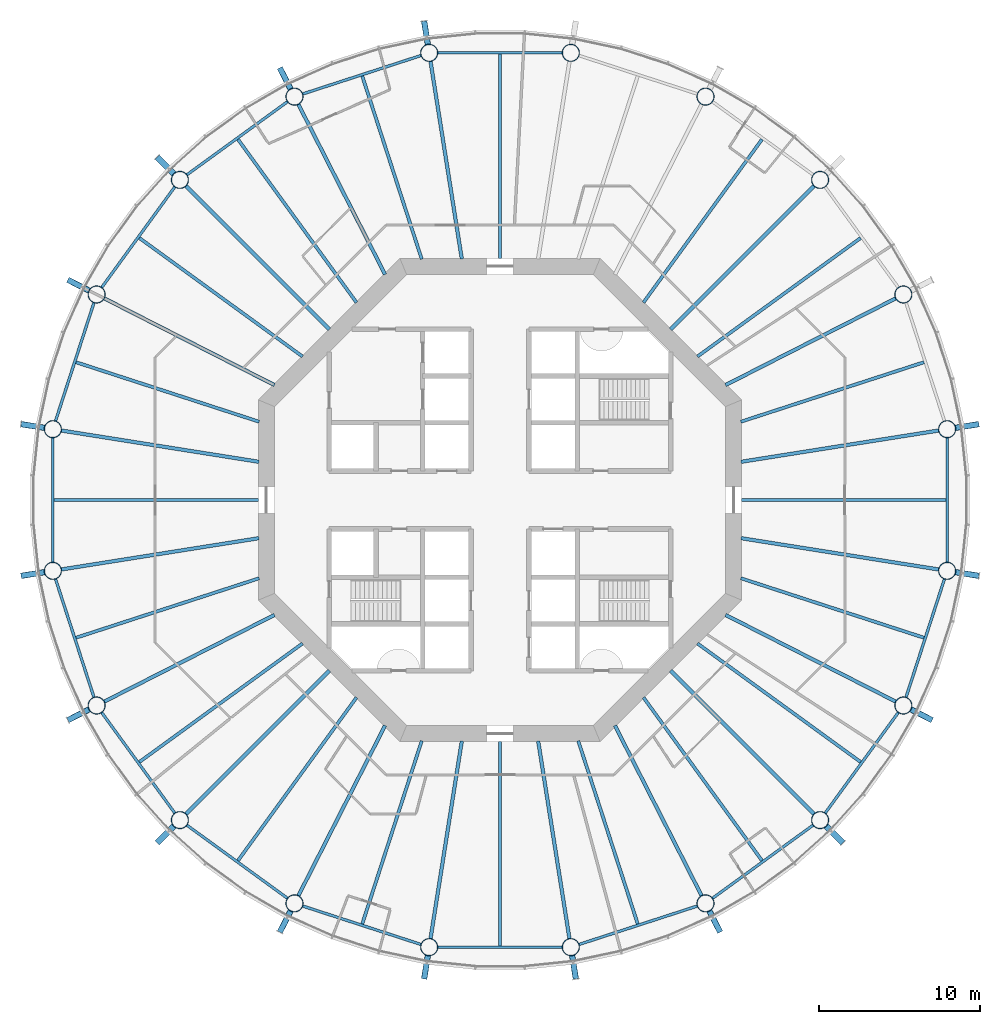
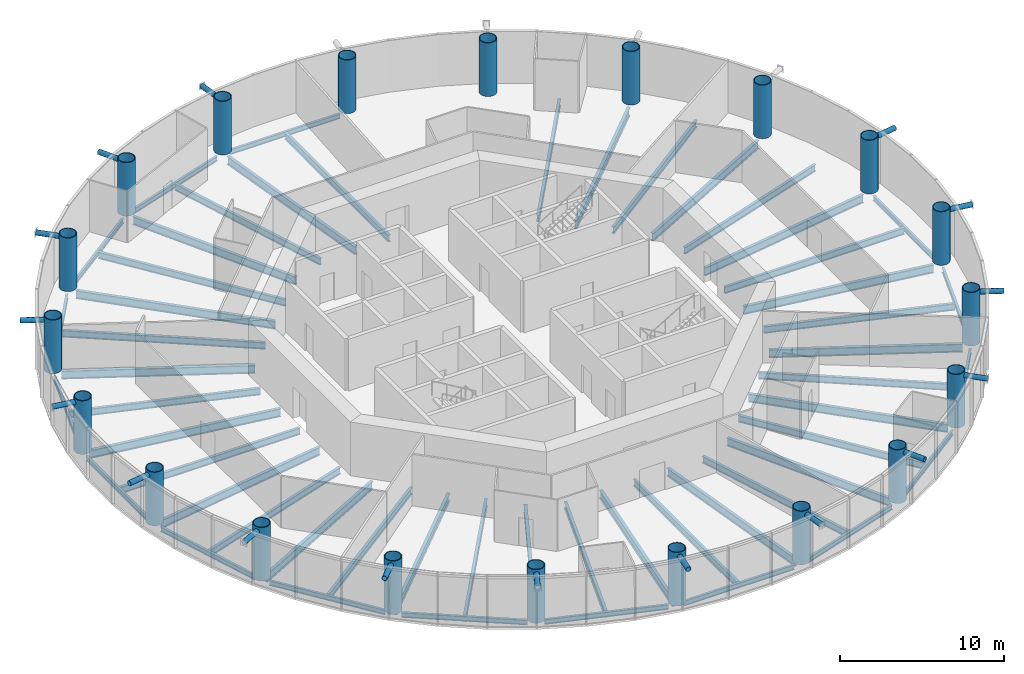
# One storey, part 1 of 17: 53 beams, 20 columns, 16 members.
"""IFC4 building model written with IfcOpenShell, lengths in metres."""

from ifc_helpers import new_model, si_unit, direction, frame, origin, origin_2d, place, context, subcontext, project, spatial, circle, hollow_circle, i_section, extrude, material, material_profile, profile_set, type_object, element, save


model = new_model("IFC4")

# Units and contexts
model_context = context("Model", 3, precision=1e-05, world=origin(), true_north=direction((0.0, 1.0)))
body_context = subcontext(model_context, "Body", "Model", "MODEL_VIEW")
ifc_project = project(units=[si_unit("LENGTHUNIT", "METRE"), si_unit("AREAUNIT", "SQUARE_METRE"), si_unit("VOLUMEUNIT", "CUBIC_METRE"), si_unit("PLANEANGLEUNIT", "RADIAN"), si_unit("MASSUNIT", "GRAM", prefix="KILO")], contexts=[model_context])

# Site, building, storey
site_placement = place(None, origin())
site = spatial("IfcSite", under=ifc_project, at=site_placement, CompositionType="ELEMENT")
building_placement = place(site_placement, origin())
building = spatial("IfcBuilding", under=site, at=building_placement, Name="Entoto Ring Tower", CompositionType="ELEMENT")
storey_placement = place(building_placement, frame((0.0, 0.0, 176.0)))
storey = spatial("IfcBuildingStorey", under=building, at=storey_placement, Name="L40", CompositionType="ELEMENT", Elevation=176.0)

# Columns
ifc_material_1 = material(Name="Steel S355", Category="steel")
ifc_material_profile_1 = material_profile(ifc_material_1, hollow_circle(Radius=0.550048828125, WallThickness=0.050048828125, at=origin_2d()), Name="CHS 1100 x 50")
ifc_material_2 = material(Name="Concrete C60/75", Category="concrete")
ifc_material_profile_2 = material_profile(ifc_material_2, circle(Radius=0.5, at=origin_2d()), Name="Concrete C60/75 infill")
ifc_profile_set_1 = profile_set([ifc_material_profile_1, ifc_material_profile_2], Name="Steel S355")
column_type = type_object("IfcColumnType", Name="Ring column 1100 x 50 concrete-filled tube", PredefinedType="COLUMN", material=ifc_profile_set_1)
for number, where, z_axis, x_axis, name in (
    (1, (117.754150390625, 84.395751953125, 0.0), (0.0, 0.0, 1.0), (1.0, 0.0, 0.0), "RC3 R01"),
    (2, (115.037353515625, 92.757080078125, 0.0), (0.0, 0.0, 1.0), (1.0, 0.0, 0.0), "RC3 R02"),
    (3, (109.86962890625, 99.86962890625, 0.0), (0.0, 0.0, 1.0), (1.0, 0.0, 0.0), "RC3 R03"),
    (4, (102.757080078125, 105.037353515625, 0.0), (0.0, 0.0, 1.0), (1.0, 0.0, 0.0), "RC3 R04"),
    (5, (94.395751953125, 107.754150390625, 0.0), (0.0, 0.0, 1.0), (1.0, 0.0, 0.0), "RC3 R05"),
    (6, (85.604248046875, 107.754150390625, 0.0), (0.0, 0.0, 1.0), (1.0, 0.0, 0.0), "RC3 R06"),
    (7, (77.242919921875, 105.037353515625, 0.0), (0.0, 0.0, 1.0), (1.0, 0.0, 0.0), "RC3 R07"),
    (8, (70.13037109375, 99.86962890625, 0.0), (0.0, 0.0, 1.0), (1.0, 0.0, 0.0), "RC3 R08"),
    (9, (64.962646484375, 92.757080078125, 0.0), (0.0, 0.0, 1.0), (1.0, 0.0, 0.0), "RC3 R09"),
    (10, (62.245849609375, 84.395751953125, 0.0), (0.0, 0.0, 1.0), (1.0, 0.0, 0.0), "RC3 R10"),
    (11, (62.245849609375, 75.604248046875, 0.0), (0.0, 0.0, 1.0), (1.0, 0.0, 0.0), "RC3 R11"),
    (12, (64.962646484375, 67.242919921875, 0.0), (0.0, 0.0, 1.0), (1.0, 0.0, 0.0), "RC3 R12"),
    (13, (70.13037109375, 60.13037109375, 0.0), (0.0, 0.0, 1.0), (1.0, 0.0, 0.0), "RC3 R13"),
    (14, (77.242919921875, 54.962646484375, 0.0), (0.0, 0.0, 1.0), (1.0, 0.0, 0.0), "RC3 R14"),
    (15, (85.604248046875, 52.245849609375, 0.0), (0.0, 0.0, 1.0), (1.0, 0.0, 0.0), "RC3 R15"),
    (16, (94.395751953125, 52.245849609375, 0.0), (0.0, 0.0, 1.0), (1.0, 0.0, 0.0), "RC3 R16"),
    (17, (102.757080078125, 54.962646484375, 0.0), (0.0, 0.0, 1.0), (1.0, 0.0, 0.0), "RC3 R17"),
    (18, (109.86962890625, 60.13037109375, 0.0), (0.0, 0.0, 1.0), (1.0, 0.0, 0.0), "RC3 R18"),
    (19, (115.037353515625, 67.242919921875, 0.0), (0.0, 0.0, 1.0), (1.0, 0.0, 0.0), "RC3 R19"),
    (20, (117.754150390625, 75.604248046875, 0.0), (0.0, 0.0, 1.0), (1.0, 0.0, 0.0), "RC3 R20"),
):
    element("IfcColumn", number, at=place(storey_placement, frame(where, z_axis=z_axis, x_axis=x_axis)), inside=storey, type_object=column_type, Name=name, PredefinedType="COLUMN", context=body_context, shape_type="SweptSolid", body=[
        extrude(hollow_circle(Radius=0.550048828125, WallThickness=0.050048828125, at=origin_2d()), origin(), (0.0, 0.0, 1.0), 4.0),
    ])

# Members
ifc_material_3 = material(Name="Steel S355", Category="steel")
ifc_material_profile_3 = material_profile(ifc_material_3, hollow_circle(Radius=0.177734375, WallThickness=0.01611328125, at=origin_2d()), Name="CHS 355.6 x 16")
ifc_material_4 = material(Name="Concrete C60/75", Category="concrete")
ifc_material_profile_4 = material_profile(ifc_material_4, circle(Radius=0.161865234375, at=origin_2d()), Name="Concrete C60/75 infill")
ifc_profile_set_2 = profile_set([ifc_material_profile_3, ifc_material_profile_4], Name="Steel S355")
member_type = type_object("IfcMemberType", Name="Diagrid node strut 355.6 x 16", PredefinedType="STRUT", material=ifc_profile_set_2)
for number, where, z_axis, x_axis, name in (
    (21, (118.248291015625, 84.47412109375, 3.672119140625), (0.987686287976, 0.15644742422, 0.0), (-0.15644742422, 0.987686287976, 0.0), "DS1 strut ring 12 01"),
    (22, (85.52587890625, 108.248291015625, 3.672119140625), (-0.15644742422, 0.987686287976, 0.0), (-0.987686287976, -0.15644742422, 0.0), "DS1 strut ring 12 06"),
):
    element("IfcMember", number, at=place(storey_placement, frame(where, z_axis=z_axis, x_axis=x_axis)), inside=storey, type_object=member_type, Name=name, PredefinedType="STRUT", context=body_context, shape_type="SweptSolid", body=[
        extrude(hollow_circle(Radius=0.177734375, WallThickness=0.01611328125, at=origin_2d()), origin(), (0.0, 0.0, 1.0), 1.499755859375),
    ])
for number, where, z_axis, x_axis, name in (
    (23, (77.015625, 105.483154296875, 3.672119140625), (-0.453908709044, 0.891048193901, 0.0), (-0.891048193901, -0.453908709044, 0.0), "DS1 strut ring 12 07"),
    (24, (69.7763671875, 100.2236328125, 3.672119140625), (-0.707106781187, 0.707106781187, 0.0), (-0.707106781187, -0.707106781187, 0.0), "DS1 strut ring 12 08"),
    (25, (64.516845703125, 92.984375, 3.672119140625), (-0.891048193901, 0.453908709044, 0.0), (-0.453908709044, -0.891048193901, 0.0), "DS1 strut ring 12 09"),
):
    element("IfcMember", number, at=place(storey_placement, frame(where, z_axis=z_axis, x_axis=x_axis)), inside=storey, type_object=member_type, Name=name, PredefinedType="STRUT", context=body_context, shape_type="SweptSolid", body=[
        extrude(hollow_circle(Radius=0.177734375, WallThickness=0.01611328125, at=origin_2d()), origin(), (0.0, 0.0, 1.0), 1.49951171875),
    ])
for number, where, z_axis, x_axis, name in (
    (26, (61.751708984375, 84.47412109375, 3.672119140625), (-0.987686287976, 0.15644742422, 0.0), (-0.15644742422, -0.987686287976, 0.0), "DS1 strut ring 12 10"),
    (27, (61.751708984375, 75.52587890625, 3.672119140625), (-0.987686287976, -0.15644742422, 0.0), (0.15644742422, -0.987686287976, 0.0), "DS1 strut ring 12 11"),
):
    element("IfcMember", number, at=place(storey_placement, frame(where, z_axis=z_axis, x_axis=x_axis)), inside=storey, type_object=member_type, Name=name, PredefinedType="STRUT", context=body_context, shape_type="SweptSolid", body=[
        extrude(hollow_circle(Radius=0.177734375, WallThickness=0.01611328125, at=origin_2d()), origin(), (0.0, 0.0, 1.0), 1.499755859375),
    ])
for number, where, z_axis, x_axis, name in (
    (28, (64.516845703125, 67.015625, 3.672119140625), (-0.891048193901, -0.453908709044, 0.0), (0.453908709044, -0.891048193901, 0.0), "DS1 strut ring 12 12"),
    (29, (69.7763671875, 59.7763671875, 3.672119140625), (-0.707106781187, -0.707106781187, 0.0), (0.707106781187, -0.707106781187, 0.0), "DS1 strut ring 12 13"),
    (30, (77.015625, 54.516845703125, 3.672119140625), (-0.453908709044, -0.891048193901, 0.0), (0.891048193901, -0.453908709044, 0.0), "DS1 strut ring 12 14"),
):
    element("IfcMember", number, at=place(storey_placement, frame(where, z_axis=z_axis, x_axis=x_axis)), inside=storey, type_object=member_type, Name=name, PredefinedType="STRUT", context=body_context, shape_type="SweptSolid", body=[
        extrude(hollow_circle(Radius=0.177734375, WallThickness=0.01611328125, at=origin_2d()), origin(), (0.0, 0.0, 1.0), 1.49951171875),
    ])
for number, where, z_axis, x_axis, name in (
    (31, (85.52587890625, 51.751708984375, 3.672119140625), (-0.15644742422, -0.987686287976, 0.0), (0.987686287976, -0.15644742422, 0.0), "DS1 strut ring 12 15"),
    (32, (94.47412109375, 51.751708984375, 3.672119140625), (0.15644742422, -0.987686287976, 0.0), (0.987686287976, 0.15644742422, 0.0), "DS1 strut ring 12 16"),
):
    element("IfcMember", number, at=place(storey_placement, frame(where, z_axis=z_axis, x_axis=x_axis)), inside=storey, type_object=member_type, Name=name, PredefinedType="STRUT", context=body_context, shape_type="SweptSolid", body=[
        extrude(hollow_circle(Radius=0.177734375, WallThickness=0.01611328125, at=origin_2d()), origin(), (0.0, 0.0, 1.0), 1.499755859375),
    ])
for number, where, z_axis, x_axis, name in (
    (33, (102.984375, 54.516845703125, 3.672119140625), (0.453908709044, -0.891048193901, 0.0), (0.891048193901, 0.453908709044, 0.0), "DS1 strut ring 12 17"),
    (34, (110.2236328125, 59.7763671875, 3.672119140625), (0.707106781187, -0.707106781187, 0.0), (0.707106781187, 0.707106781187, 0.0), "DS1 strut ring 12 18"),
    (35, (115.483154296875, 67.015625, 3.672119140625), (0.891048193901, -0.453908709044, 0.0), (0.453908709044, 0.891048193901, 0.0), "DS1 strut ring 12 19"),
):
    element("IfcMember", number, at=place(storey_placement, frame(where, z_axis=z_axis, x_axis=x_axis)), inside=storey, type_object=member_type, Name=name, PredefinedType="STRUT", context=body_context, shape_type="SweptSolid", body=[
        extrude(hollow_circle(Radius=0.177734375, WallThickness=0.01611328125, at=origin_2d()), origin(), (0.0, 0.0, 1.0), 1.49951171875),
    ])
member_placement = place(storey_placement, frame((118.248291015625, 75.52587890625, 3.672119140625), z_axis=(0.987686287976, -0.15644742422, 0.0), x_axis=(0.15644742422, 0.987686287976, 0.0)))
element("IfcMember", 36, at=member_placement, inside=storey, type_object=member_type, Name="DS1 strut ring 12 20", PredefinedType="STRUT", context=body_context, shape_type="SweptSolid", body=[
    extrude(hollow_circle(Radius=0.177734375, WallThickness=0.01611328125, at=origin_2d()), origin(), (0.0, 0.0, 1.0), 1.499755859375),
])

# Beams
ifc_material_5 = material(Name="Steel S355", Category="steel")
ifc_material_profile_5 = material_profile(ifc_material_5, i_section(OverallWidth=0.169921875, OverallDepth=0.360107421875, WebThickness=0.008056640625, FlangeThickness=0.0126953125, FilletRadius=0.01806640625, at=origin_2d()), Name="IPE 360")
ifc_profile_set_3 = profile_set([ifc_material_profile_5], Name="Steel S355")
beam_type_1 = type_object("IfcBeamType", Name="Edge beam IPE 360", PredefinedType="SPANDREL", material=ifc_profile_set_3)
for number, where, z_axis, x_axis, name in (
    (37, (93.87255859375, 107.754150390625, -0.330078125), (-1.0, 0.0, 0.0), (0.0, -1.0, 0.0), "Edge beam L40 05"),
    (38, (85.1064453125, 107.59228515625, -0.330078125), (-0.951057925874, -0.309012656105, 0.0), (0.309012656105, -0.951057925874, 0.0), "Edge beam L40 06"),
    (39, (76.819580078125, 104.729736328125, -0.330078125), (-0.809012707043, -0.587791153253, 0.0), (0.587791153253, -0.809012707043, 0.0), "Edge beam L40 07"),
    (40, (69.82275390625, 99.4462890625, -0.330078125), (-0.587791153253, -0.809012707043, 0.0), (0.809012707043, -0.587791153253, 0.0), "Edge beam L40 08"),
    (41, (64.801025390625, 92.259521484375, -0.330078125), (-0.309012656105, -0.951057925874, 0.0), (0.951057925874, -0.309012656105, 0.0), "Edge beam L40 09"),
    (42, (62.245849609375, 83.87255859375, -0.330078125), (0.0, -1.0, 0.0), (1.0, 0.0, 0.0), "Edge beam L40 10"),
    (43, (62.40771484375, 75.1064453125, -0.330078125), (0.309012656105, -0.951057925874, 0.0), (0.951057925874, 0.309012656105, 0.0), "Edge beam L40 11"),
    (44, (65.270263671875, 66.819580078125, -0.330078125), (0.587791153253, -0.809012707043, 0.0), (0.809012707043, 0.587791153253, 0.0), "Edge beam L40 12"),
    (45, (70.5537109375, 59.82275390625, -0.330078125), (0.809012707043, -0.587791153253, 0.0), (0.587791153253, 0.809012707043, 0.0), "Edge beam L40 13"),
    (46, (77.740478515625, 54.801025390625, -0.330078125), (0.951057925874, -0.309012656105, 0.0), (0.309012656105, 0.951057925874, 0.0), "Edge beam L40 14"),
    (47, (86.12744140625, 52.245849609375, -0.330078125), (1.0, 0.0, 0.0), (0.0, 1.0, 0.0), "Edge beam L40 15"),
    (48, (94.8935546875, 52.40771484375, -0.330078125), (0.951057925874, 0.309012656105, 0.0), (-0.309012656105, 0.951057925874, 0.0), "Edge beam L40 16"),
    (49, (103.180419921875, 55.270263671875, -0.330078125), (0.809012707043, 0.587791153253, 0.0), (-0.587791153253, 0.809012707043, 0.0), "Edge beam L40 17"),
    (50, (110.17724609375, 60.5537109375, -0.330078125), (0.587791153253, 0.809012707043, 0.0), (-0.809012707043, 0.587791153253, 0.0), "Edge beam L40 18"),
    (51, (115.198974609375, 67.740478515625, -0.330078125), (0.309012656105, 0.951057925874, 0.0), (-0.951057925874, 0.309012656105, 0.0), "Edge beam L40 19"),
    (52, (117.754150390625, 76.12744140625, -0.330078125), (0.0, 1.0, 0.0), (-1.0, 0.0, 0.0), "Edge beam L40 20"),
):
    element("IfcBeam", number, at=place(storey_placement, frame(where, z_axis=z_axis, x_axis=x_axis)), inside=storey, type_object=beam_type_1, Name=name, PredefinedType="SPANDREL", context=body_context, shape_type="SweptSolid", body=[
        extrude(i_section(OverallWidth=0.169921875, OverallDepth=0.360107421875, WebThickness=0.008056640625, FlangeThickness=0.0126953125, FilletRadius=0.01806640625, at=origin_2d()), origin(), (0.0, 0.0, 1.0), 7.7451171875),
    ])
ifc_material_6 = material(Name="Steel S355", Category="steel")
ifc_material_profile_6 = material_profile(ifc_material_6, i_section(OverallWidth=0.219970703125, OverallDepth=0.60009765625, WebThickness=0.011962890625, FlangeThickness=0.01904296875, FilletRadius=0.02392578125, at=origin_2d()), Name="IPE 600")
ifc_profile_set_4 = profile_set([ifc_material_profile_6], Name="Steel S355")
beam_type_2 = type_object("IfcBeamType", Name="Primary floor beam IPE 600", PredefinedType="BEAM", material=ifc_profile_set_4)
beam_1_placement = place(storey_placement, frame((104.963134765625, 82.369873046875, -0.449951171875), z_axis=(0.987687213789, 0.156441579247, 0.0), x_axis=(-0.156441579247, 0.987687213789, 0.0)))
element("IfcBeam", 53, at=beam_1_placement, inside=storey, type_object=beam_type_2, Name="Primary L40 R01", PredefinedType="BEAM", context=body_context, shape_type="SweptSolid", body=[
    extrude(i_section(OverallWidth=0.219970703125, OverallDepth=0.60009765625, WebThickness=0.011962890625, FlangeThickness=0.01904296875, FilletRadius=0.02392578125, at=origin_2d()), origin(), (0.0, 0.0, 1.0), 12.431640625),
])
beam_2_placement = place(storey_placement, frame((104.003173828125, 87.135009765625, -0.449951171875), z_axis=(0.891010444609, 0.453982805399, 0.0), x_axis=(-0.453982805399, 0.891010444609, 0.0)))
element("IfcBeam", 54, at=beam_2_placement, inside=storey, type_object=beam_type_2, Name="Primary L40 R02", PredefinedType="BEAM", context=body_context, shape_type="SweptSolid", body=[
    extrude(i_section(OverallWidth=0.219970703125, OverallDepth=0.60009765625, WebThickness=0.011962890625, FlangeThickness=0.01904296875, FilletRadius=0.02392578125, at=origin_2d()), origin(), (0.0, 0.0, 1.0), 11.864990234375),
])
beam_3_placement = place(storey_placement, frame((100.592529296875, 90.592529296875, -0.449951171875), z_axis=(0.707106781187, 0.707106781187, 0.0), x_axis=(-0.707106781187, 0.707106781187, 0.0)))
element("IfcBeam", 55, at=beam_3_placement, inside=storey, type_object=beam_type_2, Name="Primary L40 R03", PredefinedType="BEAM", context=body_context, shape_type="SweptSolid", body=[
    extrude(i_section(OverallWidth=0.219970703125, OverallDepth=0.60009765625, WebThickness=0.011962890625, FlangeThickness=0.01904296875, FilletRadius=0.02392578125, at=origin_2d()), origin(), (0.0, 0.0, 1.0), 12.601318359375),
])
beam_4_placement = place(storey_placement, frame((87.630126953125, 94.963134765625, -0.449951171875), z_axis=(-0.156441579247, 0.987687213789, 0.0), x_axis=(-0.987687213789, -0.156441579247, 0.0)))
element("IfcBeam", 56, at=beam_4_placement, inside=storey, type_object=beam_type_2, Name="Primary L40 R06", PredefinedType="BEAM", context=body_context, shape_type="SweptSolid", body=[
    extrude(i_section(OverallWidth=0.219970703125, OverallDepth=0.60009765625, WebThickness=0.011962890625, FlangeThickness=0.01904296875, FilletRadius=0.02392578125, at=origin_2d()), origin(), (0.0, 0.0, 1.0), 12.431640625),
])
beam_5_placement = place(storey_placement, frame((82.864990234375, 94.003173828125, -0.449951171875), z_axis=(-0.453982805399, 0.891010444609, 0.0), x_axis=(-0.891010444609, -0.453982805399, 0.0)))
element("IfcBeam", 57, at=beam_5_placement, inside=storey, type_object=beam_type_2, Name="Primary L40 R07", PredefinedType="BEAM", context=body_context, shape_type="SweptSolid", body=[
    extrude(i_section(OverallWidth=0.219970703125, OverallDepth=0.60009765625, WebThickness=0.011962890625, FlangeThickness=0.01904296875, FilletRadius=0.02392578125, at=origin_2d()), origin(), (0.0, 0.0, 1.0), 11.864990234375),
])
beam_6_placement = place(storey_placement, frame((79.407470703125, 90.592529296875, -0.449951171875), z_axis=(-0.707106781187, 0.707106781187, 0.0), x_axis=(-0.707106781187, -0.707106781187, 0.0)))
element("IfcBeam", 58, at=beam_6_placement, inside=storey, type_object=beam_type_2, Name="Primary L40 R08", PredefinedType="BEAM", context=body_context, shape_type="SweptSolid", body=[
    extrude(i_section(OverallWidth=0.219970703125, OverallDepth=0.60009765625, WebThickness=0.011962890625, FlangeThickness=0.01904296875, FilletRadius=0.02392578125, at=origin_2d()), origin(), (0.0, 0.0, 1.0), 12.601318359375),
])
beam_7_placement = place(storey_placement, frame((75.996826171875, 87.135009765625, -0.449951171875), z_axis=(-0.891010444609, 0.453982805399, 0.0), x_axis=(-0.453982805399, -0.891010444609, 0.0)))
element("IfcBeam", 59, at=beam_7_placement, inside=storey, type_object=beam_type_2, Name="Primary L40 R09", PredefinedType="BEAM", context=body_context, shape_type="SweptSolid", body=[
    extrude(i_section(OverallWidth=0.219970703125, OverallDepth=0.60009765625, WebThickness=0.011962890625, FlangeThickness=0.01904296875, FilletRadius=0.02392578125, at=origin_2d()), origin(), (0.0, 0.0, 1.0), 11.864990234375),
])
for number, where, z_axis, x_axis, name in (
    (60, (75.036865234375, 82.369873046875, -0.449951171875), (-0.987687213789, 0.156441579247, 0.0), (-0.156441579247, -0.987687213789, 0.0), "Primary L40 R10"),
    (61, (75.036865234375, 77.630126953125, -0.449951171875), (-0.987687213789, -0.156441579247, 0.0), (0.156441579247, -0.987687213789, 0.0), "Primary L40 R11"),
):
    element("IfcBeam", number, at=place(storey_placement, frame(where, z_axis=z_axis, x_axis=x_axis)), inside=storey, type_object=beam_type_2, Name=name, PredefinedType="BEAM", context=body_context, shape_type="SweptSolid", body=[
        extrude(i_section(OverallWidth=0.219970703125, OverallDepth=0.60009765625, WebThickness=0.011962890625, FlangeThickness=0.01904296875, FilletRadius=0.02392578125, at=origin_2d()), origin(), (0.0, 0.0, 1.0), 12.431640625),
    ])
beam_8_placement = place(storey_placement, frame((75.996826171875, 72.864990234375, -0.449951171875), z_axis=(-0.891010444609, -0.453982805399, 0.0), x_axis=(0.453982805399, -0.891010444609, 0.0)))
element("IfcBeam", 62, at=beam_8_placement, inside=storey, type_object=beam_type_2, Name="Primary L40 R12", PredefinedType="BEAM", context=body_context, shape_type="SweptSolid", body=[
    extrude(i_section(OverallWidth=0.219970703125, OverallDepth=0.60009765625, WebThickness=0.011962890625, FlangeThickness=0.01904296875, FilletRadius=0.02392578125, at=origin_2d()), origin(), (0.0, 0.0, 1.0), 11.864990234375),
])
beam_9_placement = place(storey_placement, frame((79.407470703125, 69.407470703125, -0.449951171875), z_axis=(-0.707106781187, -0.707106781187, 0.0), x_axis=(0.707106781187, -0.707106781187, 0.0)))
element("IfcBeam", 63, at=beam_9_placement, inside=storey, type_object=beam_type_2, Name="Primary L40 R13", PredefinedType="BEAM", context=body_context, shape_type="SweptSolid", body=[
    extrude(i_section(OverallWidth=0.219970703125, OverallDepth=0.60009765625, WebThickness=0.011962890625, FlangeThickness=0.01904296875, FilletRadius=0.02392578125, at=origin_2d()), origin(), (0.0, 0.0, 1.0), 12.601318359375),
])
beam_10_placement = place(storey_placement, frame((82.864990234375, 65.996826171875, -0.449951171875), z_axis=(-0.453982805399, -0.891010444609, 0.0), x_axis=(0.891010444609, -0.453982805399, 0.0)))
element("IfcBeam", 64, at=beam_10_placement, inside=storey, type_object=beam_type_2, Name="Primary L40 R14", PredefinedType="BEAM", context=body_context, shape_type="SweptSolid", body=[
    extrude(i_section(OverallWidth=0.219970703125, OverallDepth=0.60009765625, WebThickness=0.011962890625, FlangeThickness=0.01904296875, FilletRadius=0.02392578125, at=origin_2d()), origin(), (0.0, 0.0, 1.0), 11.864990234375),
])
for number, where, z_axis, x_axis, name in (
    (65, (87.630126953125, 65.036865234375, -0.449951171875), (-0.156441579247, -0.987687213789, 0.0), (0.987687213789, -0.156441579247, 0.0), "Primary L40 R15"),
    (66, (92.369873046875, 65.036865234375, -0.449951171875), (0.156441579247, -0.987687213789, 0.0), (0.987687213789, 0.156441579247, 0.0), "Primary L40 R16"),
):
    element("IfcBeam", number, at=place(storey_placement, frame(where, z_axis=z_axis, x_axis=x_axis)), inside=storey, type_object=beam_type_2, Name=name, PredefinedType="BEAM", context=body_context, shape_type="SweptSolid", body=[
        extrude(i_section(OverallWidth=0.219970703125, OverallDepth=0.60009765625, WebThickness=0.011962890625, FlangeThickness=0.01904296875, FilletRadius=0.02392578125, at=origin_2d()), origin(), (0.0, 0.0, 1.0), 12.431640625),
    ])
beam_11_placement = place(storey_placement, frame((97.135009765625, 65.996826171875, -0.449951171875), z_axis=(0.453982805399, -0.891010444609, 0.0), x_axis=(0.891010444609, 0.453982805399, 0.0)))
element("IfcBeam", 67, at=beam_11_placement, inside=storey, type_object=beam_type_2, Name="Primary L40 R17", PredefinedType="BEAM", context=body_context, shape_type="SweptSolid", body=[
    extrude(i_section(OverallWidth=0.219970703125, OverallDepth=0.60009765625, WebThickness=0.011962890625, FlangeThickness=0.01904296875, FilletRadius=0.02392578125, at=origin_2d()), origin(), (0.0, 0.0, 1.0), 11.864990234375),
])
beam_12_placement = place(storey_placement, frame((100.592529296875, 69.407470703125, -0.449951171875), z_axis=(0.707106781187, -0.707106781187, 0.0), x_axis=(0.707106781187, 0.707106781187, 0.0)))
element("IfcBeam", 68, at=beam_12_placement, inside=storey, type_object=beam_type_2, Name="Primary L40 R18", PredefinedType="BEAM", context=body_context, shape_type="SweptSolid", body=[
    extrude(i_section(OverallWidth=0.219970703125, OverallDepth=0.60009765625, WebThickness=0.011962890625, FlangeThickness=0.01904296875, FilletRadius=0.02392578125, at=origin_2d()), origin(), (0.0, 0.0, 1.0), 12.601318359375),
])
beam_13_placement = place(storey_placement, frame((104.003173828125, 72.864990234375, -0.449951171875), z_axis=(0.891010444609, -0.453982805399, 0.0), x_axis=(0.453982805399, 0.891010444609, 0.0)))
element("IfcBeam", 69, at=beam_13_placement, inside=storey, type_object=beam_type_2, Name="Primary L40 R19", PredefinedType="BEAM", context=body_context, shape_type="SweptSolid", body=[
    extrude(i_section(OverallWidth=0.219970703125, OverallDepth=0.60009765625, WebThickness=0.011962890625, FlangeThickness=0.01904296875, FilletRadius=0.02392578125, at=origin_2d()), origin(), (0.0, 0.0, 1.0), 11.864990234375),
])
beam_14_placement = place(storey_placement, frame((104.963134765625, 77.630126953125, -0.449951171875), z_axis=(0.987687213789, -0.156441579247, 0.0), x_axis=(0.156441579247, 0.987687213789, 0.0)))
element("IfcBeam", 70, at=beam_14_placement, inside=storey, type_object=beam_type_2, Name="Primary L40 R20", PredefinedType="BEAM", context=body_context, shape_type="SweptSolid", body=[
    extrude(i_section(OverallWidth=0.219970703125, OverallDepth=0.60009765625, WebThickness=0.011962890625, FlangeThickness=0.01904296875, FilletRadius=0.02392578125, at=origin_2d()), origin(), (0.0, 0.0, 1.0), 12.431640625),
])
ifc_material_7 = material(Name="Steel S355", Category="steel")
ifc_material_profile_7 = material_profile(ifc_material_7, i_section(OverallWidth=0.199951171875, OverallDepth=0.5, WebThickness=0.01025390625, FlangeThickness=0.01611328125, FilletRadius=0.02099609375, at=origin_2d()), Name="IPE 500")
ifc_profile_set_5 = profile_set([ifc_material_profile_7], Name="Steel S355")
beam_type_3 = type_object("IfcBeamType", Name="Secondary floor beam IPE 500", PredefinedType="JOIST", material=ifc_profile_set_5)
beam_15_placement = place(storey_placement, frame((104.9501953125, 84.857666015625, -0.39990234375), z_axis=(0.951056587506, 0.30901677521, 0.0), x_axis=(-0.30901677521, 0.951056587506, 0.0)))
element("IfcBeam", 71, at=beam_15_placement, inside=storey, type_object=beam_type_3, Name="Secondary beam L40 01", PredefinedType="JOIST", context=body_context, shape_type="SweptSolid", body=[
    extrude(i_section(OverallWidth=0.199951171875, OverallDepth=0.5, WebThickness=0.01025390625, FlangeThickness=0.01611328125, FilletRadius=0.02099609375, at=origin_2d()), origin(), (0.0, 0.0, 1.0), 11.94970703125),
])
for number, where, z_axis, x_axis, name in (
    (72, (102.257568359375, 88.905517578125, -0.39990234375), (0.80901431041, 0.587788946436, 0.0), (-0.587788946436, 0.80901431041, 0.0), "Secondary beam L40 02"),
    (73, (98.905517578125, 92.257568359375, -0.39990234375), (0.587788946436, 0.80901431041, 0.0), (-0.80901431041, 0.587788946436, 0.0), "Secondary beam L40 03"),
):
    element("IfcBeam", number, at=place(storey_placement, frame(where, z_axis=z_axis, x_axis=x_axis)), inside=storey, type_object=beam_type_3, Name=name, PredefinedType="JOIST", context=body_context, shape_type="SweptSolid", body=[
        extrude(i_section(OverallWidth=0.199951171875, OverallDepth=0.5, WebThickness=0.01025390625, FlangeThickness=0.01611328125, FilletRadius=0.02099609375, at=origin_2d()), origin(), (0.0, 0.0, 1.0), 12.51806640625),
    ])
beam_16_placement = place(storey_placement, frame((90.0, 94.97998046875, -0.39990234375), z_axis=(0.0, 1.0, 0.0), x_axis=(-1.0, 0.0, 0.0)))
element("IfcBeam", 74, at=beam_16_placement, inside=storey, type_object=beam_type_3, Name="Secondary beam L40 05", PredefinedType="JOIST", context=body_context, shape_type="SweptSolid", body=[
    extrude(i_section(OverallWidth=0.199951171875, OverallDepth=0.5, WebThickness=0.01025390625, FlangeThickness=0.01611328125, FilletRadius=0.02099609375, at=origin_2d()), origin(), (0.0, 0.0, 1.0), 12.68896484375),
])
beam_17_placement = place(storey_placement, frame((85.142333984375, 94.9501953125, -0.39990234375), z_axis=(-0.30901677521, 0.951056587506, 0.0), x_axis=(-0.951056587506, -0.30901677521, 0.0)))
element("IfcBeam", 75, at=beam_17_placement, inside=storey, type_object=beam_type_3, Name="Secondary beam L40 06", PredefinedType="JOIST", context=body_context, shape_type="SweptSolid", body=[
    extrude(i_section(OverallWidth=0.199951171875, OverallDepth=0.5, WebThickness=0.01025390625, FlangeThickness=0.01611328125, FilletRadius=0.02099609375, at=origin_2d()), origin(), (0.0, 0.0, 1.0), 11.94970703125),
])
for number, where, z_axis, x_axis, name in (
    (76, (81.094482421875, 92.257568359375, -0.39990234375), (-0.587788946436, 0.80901431041, 0.0), (-0.80901431041, -0.587788946436, 0.0), "Secondary beam L40 07"),
    (77, (77.742431640625, 88.905517578125, -0.39990234375), (-0.80901431041, 0.587788946436, 0.0), (-0.587788946436, -0.80901431041, 0.0), "Secondary beam L40 08"),
):
    element("IfcBeam", number, at=place(storey_placement, frame(where, z_axis=z_axis, x_axis=x_axis)), inside=storey, type_object=beam_type_3, Name=name, PredefinedType="JOIST", context=body_context, shape_type="SweptSolid", body=[
        extrude(i_section(OverallWidth=0.199951171875, OverallDepth=0.5, WebThickness=0.01025390625, FlangeThickness=0.01611328125, FilletRadius=0.02099609375, at=origin_2d()), origin(), (0.0, 0.0, 1.0), 12.51806640625),
    ])
beam_18_placement = place(storey_placement, frame((75.0498046875, 84.857666015625, -0.39990234375), z_axis=(-0.951056587506, 0.30901677521, 0.0), x_axis=(-0.30901677521, -0.951056587506, 0.0)))
element("IfcBeam", 78, at=beam_18_placement, inside=storey, type_object=beam_type_3, Name="Secondary beam L40 09", PredefinedType="JOIST", context=body_context, shape_type="SweptSolid", body=[
    extrude(i_section(OverallWidth=0.199951171875, OverallDepth=0.5, WebThickness=0.01025390625, FlangeThickness=0.01611328125, FilletRadius=0.02099609375, at=origin_2d()), origin(), (0.0, 0.0, 1.0), 11.94970703125),
])
beam_19_placement = place(storey_placement, frame((75.02001953125, 80.0, -0.39990234375), z_axis=(-1.0, 0.0, 0.0), x_axis=(0.0, -1.0, 0.0)))
element("IfcBeam", 79, at=beam_19_placement, inside=storey, type_object=beam_type_3, Name="Secondary beam L40 10", PredefinedType="JOIST", context=body_context, shape_type="SweptSolid", body=[
    extrude(i_section(OverallWidth=0.199951171875, OverallDepth=0.5, WebThickness=0.01025390625, FlangeThickness=0.01611328125, FilletRadius=0.02099609375, at=origin_2d()), origin(), (0.0, 0.0, 1.0), 12.68896484375),
])
beam_20_placement = place(storey_placement, frame((75.0498046875, 75.142333984375, -0.39990234375), z_axis=(-0.951056587506, -0.30901677521, 0.0), x_axis=(0.30901677521, -0.951056587506, 0.0)))
element("IfcBeam", 80, at=beam_20_placement, inside=storey, type_object=beam_type_3, Name="Secondary beam L40 11", PredefinedType="JOIST", context=body_context, shape_type="SweptSolid", body=[
    extrude(i_section(OverallWidth=0.199951171875, OverallDepth=0.5, WebThickness=0.01025390625, FlangeThickness=0.01611328125, FilletRadius=0.02099609375, at=origin_2d()), origin(), (0.0, 0.0, 1.0), 11.94970703125),
])
for number, where, z_axis, x_axis, name in (
    (81, (77.742431640625, 71.094482421875, -0.39990234375), (-0.80901431041, -0.587788946436, 0.0), (0.587788946436, -0.80901431041, 0.0), "Secondary beam L40 12"),
    (82, (81.094482421875, 67.742431640625, -0.39990234375), (-0.587788946436, -0.80901431041, 0.0), (0.80901431041, -0.587788946436, 0.0), "Secondary beam L40 13"),
):
    element("IfcBeam", number, at=place(storey_placement, frame(where, z_axis=z_axis, x_axis=x_axis)), inside=storey, type_object=beam_type_3, Name=name, PredefinedType="JOIST", context=body_context, shape_type="SweptSolid", body=[
        extrude(i_section(OverallWidth=0.199951171875, OverallDepth=0.5, WebThickness=0.01025390625, FlangeThickness=0.01611328125, FilletRadius=0.02099609375, at=origin_2d()), origin(), (0.0, 0.0, 1.0), 12.51806640625),
    ])
beam_21_placement = place(storey_placement, frame((85.142333984375, 65.0498046875, -0.39990234375), z_axis=(-0.30901677521, -0.951056587506, 0.0), x_axis=(0.951056587506, -0.30901677521, 0.0)))
element("IfcBeam", 83, at=beam_21_placement, inside=storey, type_object=beam_type_3, Name="Secondary beam L40 14", PredefinedType="JOIST", context=body_context, shape_type="SweptSolid", body=[
    extrude(i_section(OverallWidth=0.199951171875, OverallDepth=0.5, WebThickness=0.01025390625, FlangeThickness=0.01611328125, FilletRadius=0.02099609375, at=origin_2d()), origin(), (0.0, 0.0, 1.0), 11.94970703125),
])
beam_22_placement = place(storey_placement, frame((90.0, 65.02001953125, -0.39990234375), z_axis=(0.0, -1.0, 0.0), x_axis=(1.0, 0.0, 0.0)))
element("IfcBeam", 84, at=beam_22_placement, inside=storey, type_object=beam_type_3, Name="Secondary beam L40 15", PredefinedType="JOIST", context=body_context, shape_type="SweptSolid", body=[
    extrude(i_section(OverallWidth=0.199951171875, OverallDepth=0.5, WebThickness=0.01025390625, FlangeThickness=0.01611328125, FilletRadius=0.02099609375, at=origin_2d()), origin(), (0.0, 0.0, 1.0), 12.68896484375),
])
beam_23_placement = place(storey_placement, frame((94.857666015625, 65.0498046875, -0.39990234375), z_axis=(0.30901677521, -0.951056587506, 0.0), x_axis=(0.951056587506, 0.30901677521, 0.0)))
element("IfcBeam", 85, at=beam_23_placement, inside=storey, type_object=beam_type_3, Name="Secondary beam L40 16", PredefinedType="JOIST", context=body_context, shape_type="SweptSolid", body=[
    extrude(i_section(OverallWidth=0.199951171875, OverallDepth=0.5, WebThickness=0.01025390625, FlangeThickness=0.01611328125, FilletRadius=0.02099609375, at=origin_2d()), origin(), (0.0, 0.0, 1.0), 11.94970703125),
])
for number, where, z_axis, x_axis, name in (
    (86, (98.905517578125, 67.742431640625, -0.39990234375), (0.587788946436, -0.80901431041, 0.0), (0.80901431041, 0.587788946436, 0.0), "Secondary beam L40 17"),
    (87, (102.257568359375, 71.094482421875, -0.39990234375), (0.80901431041, -0.587788946436, 0.0), (0.587788946436, 0.80901431041, 0.0), "Secondary beam L40 18"),
):
    element("IfcBeam", number, at=place(storey_placement, frame(where, z_axis=z_axis, x_axis=x_axis)), inside=storey, type_object=beam_type_3, Name=name, PredefinedType="JOIST", context=body_context, shape_type="SweptSolid", body=[
        extrude(i_section(OverallWidth=0.199951171875, OverallDepth=0.5, WebThickness=0.01025390625, FlangeThickness=0.01611328125, FilletRadius=0.02099609375, at=origin_2d()), origin(), (0.0, 0.0, 1.0), 12.51806640625),
    ])
beam_24_placement = place(storey_placement, frame((104.9501953125, 75.142333984375, -0.39990234375), z_axis=(0.951056587506, -0.30901677521, 0.0), x_axis=(0.30901677521, 0.951056587506, 0.0)))
element("IfcBeam", 88, at=beam_24_placement, inside=storey, type_object=beam_type_3, Name="Secondary beam L40 19", PredefinedType="JOIST", context=body_context, shape_type="SweptSolid", body=[
    extrude(i_section(OverallWidth=0.199951171875, OverallDepth=0.5, WebThickness=0.01025390625, FlangeThickness=0.01611328125, FilletRadius=0.02099609375, at=origin_2d()), origin(), (0.0, 0.0, 1.0), 11.94970703125),
])
beam_25_placement = place(storey_placement, frame((104.97998046875, 80.0, -0.39990234375), z_axis=(1.0, 0.0, 0.0), x_axis=(0.0, 1.0, 0.0)))
element("IfcBeam", 89, at=beam_25_placement, inside=storey, type_object=beam_type_3, Name="Secondary beam L40 20", PredefinedType="JOIST", context=body_context, shape_type="SweptSolid", body=[
    extrude(i_section(OverallWidth=0.199951171875, OverallDepth=0.5, WebThickness=0.01025390625, FlangeThickness=0.01611328125, FilletRadius=0.02099609375, at=origin_2d()), origin(), (0.0, 0.0, 1.0), 12.68896484375),
])

save(model, "model.ifc")
